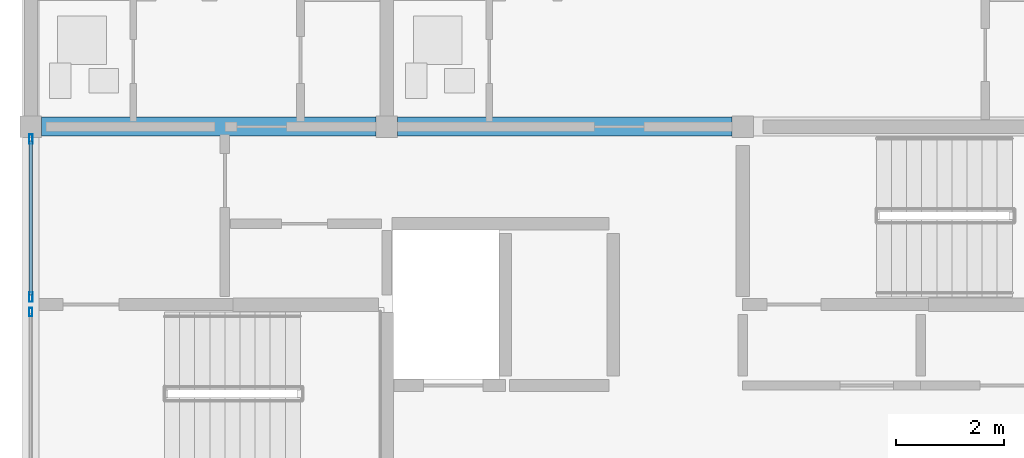
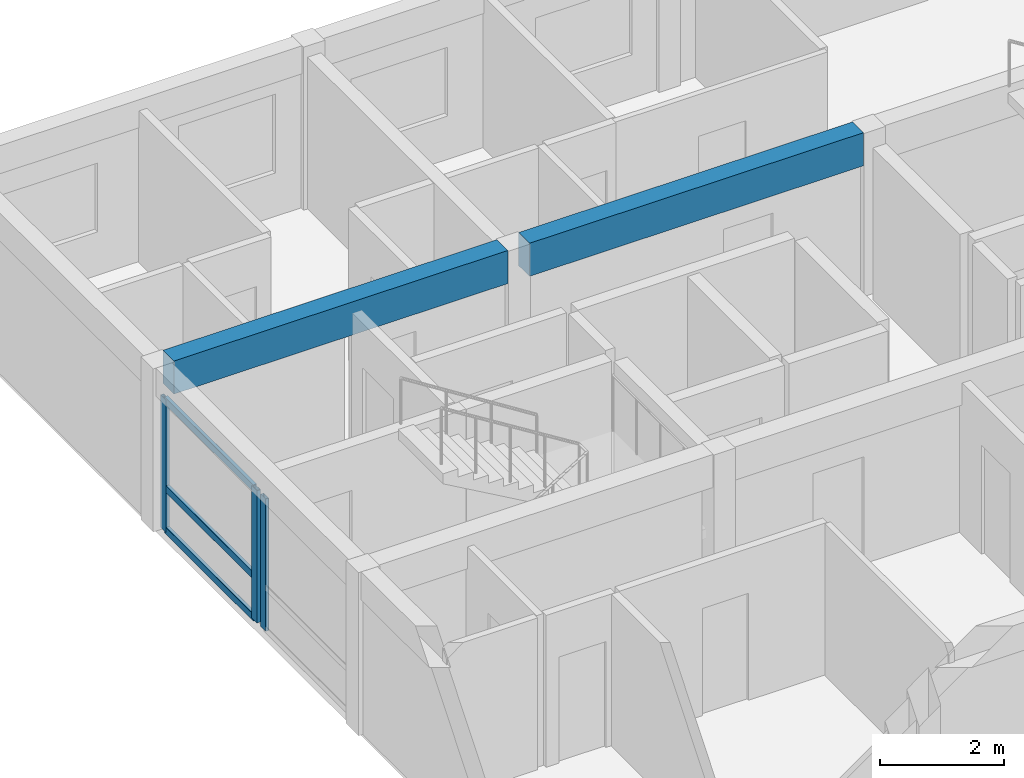
# One storey, part 4 of 23: 6 members, 2 beams, 2 elements without a shape of their own.
"""IFC4 building model written with IfcOpenShell, lengths in metres."""

from ifc_helpers import new_model, si_unit, direction, frame, origin, origin_2d, place, context, subcontext, project, spatial, rectangle, hollow_rectangle, extrude, material, material_profile, profile_set, type_object, element, aggregate, save


model = new_model("IFC4")

# Units and contexts
model_context = context("Model", 3, precision=1e-05, world=origin(), true_north=direction((0.0, 1.0)))
body_context = subcontext(model_context, "Body", "Model", "MODEL_VIEW")
ifc_project = project(units=[si_unit("LENGTHUNIT", "METRE"), si_unit("AREAUNIT", "SQUARE_METRE"), si_unit("VOLUMEUNIT", "CUBIC_METRE"), si_unit("PLANEANGLEUNIT", "RADIAN"), si_unit("MASSUNIT", "GRAM", prefix="KILO")], contexts=[model_context])

# Site, building, storey
site_placement = place(None, origin())
site = spatial("IfcSite", under=ifc_project, at=site_placement, CompositionType="ELEMENT")
building_placement = place(site_placement, origin())
building = spatial("IfcBuilding", under=site, at=building_placement, Name="Kernevlak Ridge Housing Community", CompositionType="ELEMENT")
storey_placement = place(building_placement, frame((0.0, 0.0, 46.800048828125)))
storey = spatial("IfcBuildingStorey", under=building, at=storey_placement, Name="L14", CompositionType="ELEMENT", Elevation=46.800048828125)

# Beams
ifc_material_1 = material(Name="Concrete C35/45", Category="concrete")
ifc_material_profile_1 = material_profile(ifc_material_1, rectangle(XDim=0.35009765625, YDim=0.64990234375, at=origin_2d()), Name="RC 350x650")
ifc_profile_set_1 = profile_set([ifc_material_profile_1], Name="Concrete C35/45")
beam_type = type_object("IfcBeamType", Name="B-02", PredefinedType="BEAM", material=ifc_profile_set_1)
beam_1_placement = place(storey_placement, frame((15.800048828125, 89.199951171875, 2.875), z_axis=(1.0, 0.0, 0.0), x_axis=(0.0, 1.0, 0.0)))
element("IfcBeam", 1, at=beam_1_placement, inside=storey, type_object=beam_type, Name="Beam B-02 L14 431", PredefinedType="BEAM", context=body_context, shape_type="SweptSolid", body=[
    extrude(rectangle(XDim=0.35009765625, YDim=0.64990234375, at=origin_2d()), origin(), (0.0, 0.0, 1.0), 6.199951171875),
])
beam_2_placement = place(storey_placement, frame((22.39990234375, 89.199951171875, 2.875), z_axis=(1.0, 0.0, 0.0), x_axis=(0.0, 1.0, 0.0)))
element("IfcBeam", 2, at=beam_2_placement, inside=storey, type_object=beam_type, Name="Beam B-02 L14 432", PredefinedType="BEAM", context=body_context, shape_type="SweptSolid", body=[
    extrude(rectangle(XDim=0.35009765625, YDim=0.64990234375, at=origin_2d()), origin(), (0.0, 0.0, 1.0), 6.2001953125),
])

# Curtain wall, member
ifc_material_2 = material(Name="Aluminium EN AW-6060 anodised and laminated glass", Category="aluminium")
curtain_wall_type_1 = type_object("IfcCurtainWallType", Name="CW-01", PredefinedType="NOTDEFINED", material=ifc_material_2)
curtain_wall_1_placement = place(storey_placement, origin())
curtain_wall_1 = element("IfcCurtainWall", 3, at=curtain_wall_1_placement, inside=storey, type_object=curtain_wall_type_1, Name="Curtain wall CW-01 CW-L14-043", PredefinedType="NOTDEFINED")
ifc_material_3 = material(Name="Aluminium EN AW-6060 anodised", Category="aluminium")
ifc_material_profile_2 = material_profile(ifc_material_3, hollow_rectangle(XDim=0.06005859375, YDim=0.159912109375, WallThickness=0.00390625, InnerFilletRadius=0.001953125, OuterFilletRadius=0.00390625, at=origin_2d()), Name="ALU 60x160x4")
ifc_profile_set_2 = profile_set([ifc_material_profile_2], Name="Aluminium EN AW-6060 anodised")
member_type_1 = type_object("IfcMemberType", Name="MU-02", PredefinedType="MULLION", material=ifc_profile_set_2)
member_1_placement = place(storey_placement, frame((15.60009765625, 85.760009765625, 0.0), z_axis=(0.0, 0.0, 1.0), x_axis=(-1.0, 0.0, 0.0)))
member_1 = element("IfcMember", 4, at=member_1_placement, type_object=member_type_1, Name="CW-01 mullion 2", PredefinedType="MULLION", context=body_context, shape_type="SweptSolid", body=[
    extrude(hollow_rectangle(XDim=0.06005859375, YDim=0.159912109375, WallThickness=0.00390625, InnerFilletRadius=0.001953125, OuterFilletRadius=0.00390625, at=origin_2d()), origin(), (0.0, 0.0, 1.0), 2.599853515625),
])
aggregate(curtain_wall_1, [member_1])

# Curtain wall, members
curtain_wall_type_2 = type_object("IfcCurtainWallType", Name="CW-06", PredefinedType="NOTDEFINED", material=ifc_material_2)
curtain_wall_2_placement = place(storey_placement, origin())
curtain_wall_2 = element("IfcCurtainWall", 5, at=curtain_wall_2_placement, inside=storey, type_object=curtain_wall_type_2, Name="Curtain wall CW-06 CW-L14-044", PredefinedType="NOTDEFINED")
ifc_material_profile_3 = material_profile(ifc_material_3, hollow_rectangle(XDim=0.06494140625, YDim=0.179931640625, WallThickness=0.00439453125, InnerFilletRadius=0.001953125, OuterFilletRadius=0.00439453125, at=origin_2d()), Name="ALU 65x180x4.5")
ifc_profile_set_3 = profile_set([ifc_material_profile_3], Name="Aluminium EN AW-6060 anodised")
member_type_2 = type_object("IfcMemberType", Name="MU-03", PredefinedType="MULLION", material=ifc_profile_set_3)
member_2_placement = place(storey_placement, frame((15.60009765625, 86.04248046875, 0.0), z_axis=(0.0, 0.0, 1.0), x_axis=(-1.0, 0.0, 0.0)))
member_2 = element("IfcMember", 6, at=member_2_placement, type_object=member_type_2, Name="CW-06 mullion 1", PredefinedType="MULLION", context=body_context, shape_type="SweptSolid", body=[
    extrude(hollow_rectangle(XDim=0.06494140625, YDim=0.179931640625, WallThickness=0.00439453125, InnerFilletRadius=0.001953125, OuterFilletRadius=0.00439453125, at=origin_2d()), origin(), (0.0, 0.0, 1.0), 2.599853515625),
])
member_3_placement = place(storey_placement, frame((15.60009765625, 88.967529296875, 0.0), z_axis=(0.0, 0.0, 1.0), x_axis=(-1.0, 0.0, 0.0)))
member_3 = element("IfcMember", 7, at=member_3_placement, type_object=member_type_2, Name="CW-06 mullion 2", PredefinedType="MULLION", context=body_context, shape_type="SweptSolid", body=[
    extrude(hollow_rectangle(XDim=0.06494140625, YDim=0.179931640625, WallThickness=0.00439453125, InnerFilletRadius=0.001953125, OuterFilletRadius=0.00439453125, at=origin_2d()), origin(), (0.0, 0.0, 1.0), 2.599853515625),
])
ifc_material_profile_4 = material_profile(ifc_material_3, hollow_rectangle(XDim=0.06494140625, YDim=0.139892578125, WallThickness=0.00390625, InnerFilletRadius=0.001953125, OuterFilletRadius=0.00390625, at=origin_2d()), Name="ALU 65x140x4")
ifc_profile_set_4 = profile_set([ifc_material_profile_4], Name="Aluminium EN AW-6060 anodised")
member_type_3 = type_object("IfcMemberType", Name="TM-03", PredefinedType="USERDEFINED", material=ifc_profile_set_4)
member_4_placement = place(storey_placement, frame((15.60009765625, 86.074951171875, 0.032470703125), z_axis=(0.0, 1.0, 0.0), x_axis=(-1.0, 0.0, 0.0)))
member_4 = element("IfcMember", 8, at=member_4_placement, type_object=member_type_3, Name="CW-06 transom 1.1", ObjectType="TRANSOM", PredefinedType="USERDEFINED", context=body_context, shape_type="SweptSolid", body=[
    extrude(hollow_rectangle(XDim=0.06494140625, YDim=0.139892578125, WallThickness=0.00390625, InnerFilletRadius=0.001953125, OuterFilletRadius=0.00390625, at=origin_2d()), origin(), (0.0, 0.0, 1.0), 2.860107421875),
])
member_5_placement = place(storey_placement, frame((15.60009765625, 86.074951171875, 0.849853515625), z_axis=(0.0, 1.0, 0.0), x_axis=(-1.0, 0.0, 0.0)))
member_5 = element("IfcMember", 9, at=member_5_placement, type_object=member_type_3, Name="CW-06 transom 1.2", ObjectType="TRANSOM", PredefinedType="USERDEFINED", context=body_context, shape_type="SweptSolid", body=[
    extrude(hollow_rectangle(XDim=0.06494140625, YDim=0.139892578125, WallThickness=0.00390625, InnerFilletRadius=0.001953125, OuterFilletRadius=0.00390625, at=origin_2d()), origin(), (0.0, 0.0, 1.0), 2.860107421875),
])
member_6_placement = place(storey_placement, frame((15.60009765625, 86.074951171875, 2.5673828125), z_axis=(0.0, 1.0, 0.0), x_axis=(-1.0, 0.0, 0.0)))
member_6 = element("IfcMember", 10, at=member_6_placement, type_object=member_type_3, Name="CW-06 transom 1.3", ObjectType="TRANSOM", PredefinedType="USERDEFINED", context=body_context, shape_type="SweptSolid", body=[
    extrude(hollow_rectangle(XDim=0.06494140625, YDim=0.139892578125, WallThickness=0.00390625, InnerFilletRadius=0.001953125, OuterFilletRadius=0.00390625, at=origin_2d()), origin(), (0.0, 0.0, 1.0), 2.860107421875),
])
aggregate(curtain_wall_2, [member_2, member_3, member_4, member_5, member_6])

save(model, "model.ifc")
